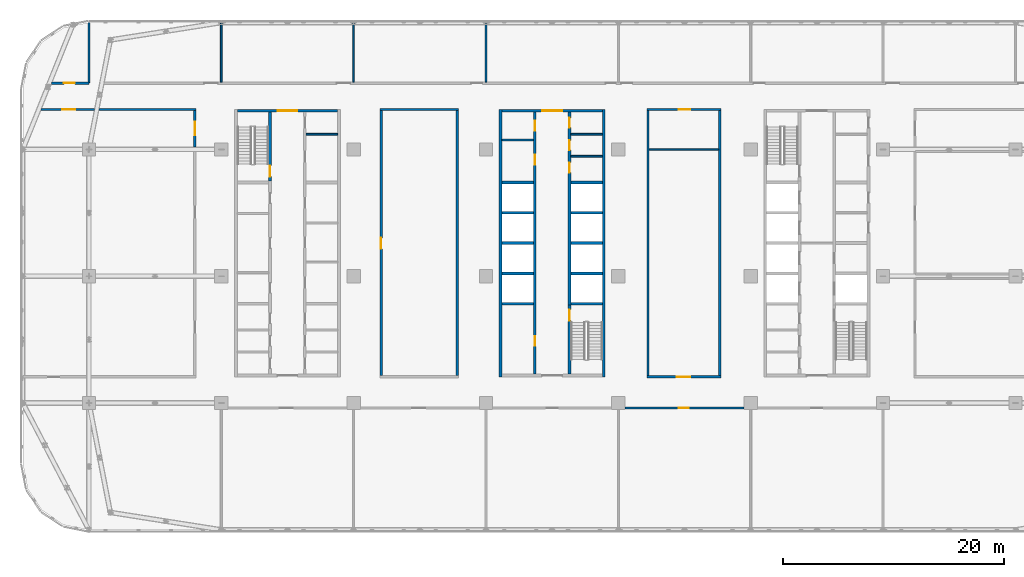
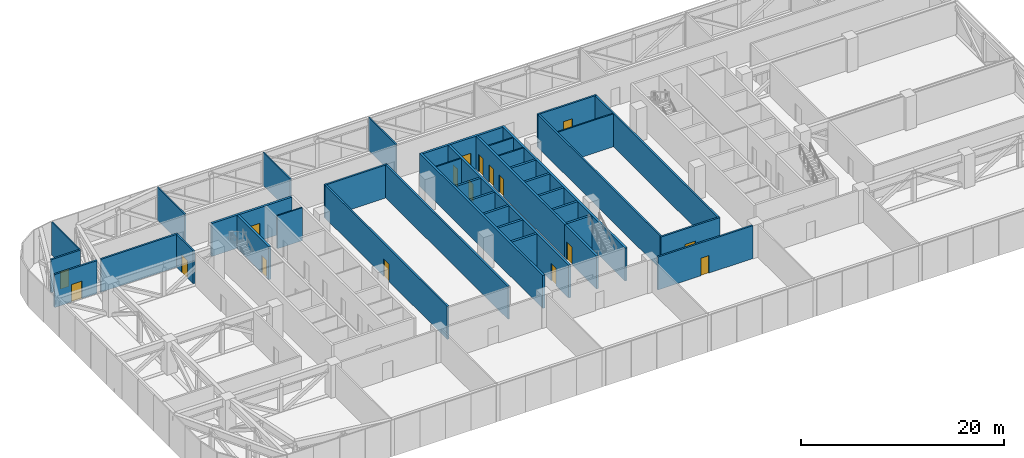
# One storey, part 10 of 26: 39 walls, 17 doors, 17 openings.
"""IFC4 building model written with IfcOpenShell, lengths in metres."""

import ifcopenshell
import ifcopenshell.guid

model = None  # the IFC model being written
_history = None  # IfcOwnerHistory: only IFC2X3 demands one
_inside = {}  # id of a spatial element -> (the spatial element, [elements in it])
_under = {}  # id of a project, library or spatial element -> (it, [spatial elements below it])
_declared = {}  # id of a project -> (the project, [libraries it declares])
_typed = {}  # id of a type object -> (the type object, [elements of that type])
_made_of = {}  # id of a material, layer set ... -> (it, [elements and type objects made of it])


def new_model(schema):
    """Start an empty IFC model of exactly this schema.

    Asked for "IFC4X3", IfcOpenShell would pick the latest addendum, in which some entities
    have other attributes; the version numbers below select the first issue.
    IFC2X3 requires an IfcOwnerHistory on every rooted entity: one is made here for all.
    """
    global model, _history
    if schema == "IFC4X3":
        model = ifcopenshell.file(schema_version=(4, 3, 0, 0))
    else:
        model = ifcopenshell.file(schema=schema)
    _inside.clear()
    _under.clear()
    _declared.clear()
    _typed.clear()
    _made_of.clear()
    _history = None
    if model.schema == "IFC2X3":
        org = make("IfcOrganization", Name="unknown")
        user = make(
            "IfcPersonAndOrganization",
            ThePerson=make("IfcPerson", FamilyName="unknown"),
            TheOrganization=org,
        )
        app = make(
            "IfcApplication",
            ApplicationDeveloper=org,
            Version="unknown",
            ApplicationFullName="unknown",
            ApplicationIdentifier="unknown",
        )
        _history = make(
            "IfcOwnerHistory",
            OwningUser=user,
            OwningApplication=app,
            ChangeAction="ADDED",
            CreationDate=0,
        )
    return model


def make(cls, **values):
    """One entity of the class cls with the attributes given. An attribute that is None is left unset."""
    return model.create_entity(
        cls, **{name: value for name, value in values.items() if value is not None}
    )


def rooted(cls, **values):
    """An entity with a GlobalId (a new one), such as an element, a storey or a relation."""
    return make(cls, GlobalId=ifcopenshell.guid.new(), OwnerHistory=_history, **values)


def si_unit(unit_type, name, prefix=None):
    """IfcSIUnit, for example si_unit("LENGTHUNIT", "METRE", prefix="MILLI")."""
    return make("IfcSIUnit", UnitType=unit_type, Prefix=prefix, Name=name)


def assignment(units):
    """IfcUnitAssignment: the units of a project."""
    return None if units is None else make("IfcUnitAssignment", Units=units)


def point(xyz):
    """IfcCartesianPoint."""
    return None if xyz is None else make("IfcCartesianPoint", Coordinates=xyz)


def direction(xyz):
    """IfcDirection."""
    return None if xyz is None else make("IfcDirection", DirectionRatios=xyz)


def frame(location, z_axis=None, x_axis=None):
    """IfcAxis2Placement3D, a coordinate frame: its origin and axes. An axis left out is left unset."""
    return make(
        "IfcAxis2Placement3D",
        Location=point(location),
        Axis=direction(z_axis),
        RefDirection=direction(x_axis),
    )


def frame_2d(location, x_axis=None):
    """IfcAxis2Placement2D, a coordinate frame in the plane: its origin and x axis."""
    return make(
        "IfcAxis2Placement2D", Location=point(location), RefDirection=direction(x_axis)
    )


def origin():
    """The frame at (0, 0, 0) with its axes left unset."""
    return frame((0.0, 0.0, 0.0))


def place(relative_to, where):
    """IfcLocalPlacement: puts the frame where relative to a parent placement (None: the world)."""
    return make(
        "IfcLocalPlacement", PlacementRelTo=relative_to, RelativePlacement=where
    )


def context(
    kind, dimensions, precision=None, world=None, true_north=None, identifier=None
):
    """IfcGeometricRepresentationContext, for example the 3D "Model" context."""
    return make(
        "IfcGeometricRepresentationContext",
        ContextIdentifier=identifier,
        ContextType=kind,
        CoordinateSpaceDimension=dimensions,
        Precision=precision,
        WorldCoordinateSystem=world,
        TrueNorth=true_north,
    )


def subcontext(parent, identifier, kind, view, scale=None):
    """IfcGeometricRepresentationSubContext, for example "Body" below "Model"."""
    return make(
        "IfcGeometricRepresentationSubContext",
        ContextIdentifier=identifier,
        ContextType=kind,
        ParentContext=parent,
        TargetScale=scale,
        TargetView=view,
    )


def project(units=None, contexts=None):
    """IfcProject with its units and contexts."""
    return rooted(
        "IfcProject",
        Name="project",
        RepresentationContexts=contexts,
        UnitsInContext=assignment(units),
    )


def spatial(cls, under=None, at=None, **own):
    """A site, building, storey or space (cls), placed at a placement, below another one or the project."""
    s = rooted(cls, ObjectPlacement=at, **own)
    if under is not None:
        _under.setdefault(under.id(), (under, []))[1].append(s)
    return s


def profile(cls, at=None, kind="AREA", **sizes):
    """A parametric profile (cls). Its sizes go by their IFC names, for example OverallWidth=200.0."""
    return make(cls, ProfileType=kind, Position=at, **sizes)


def rectangle(**sizes):
    """IfcRectangleProfileDef."""
    return profile("IfcRectangleProfileDef", **sizes)


def extrude(swept, where, along, depth):
    """IfcExtrudedAreaSolid: the profile swept, set in the frame where, extruded along a direction by depth."""
    return make(
        "IfcExtrudedAreaSolid",
        SweptArea=swept,
        Position=where,
        ExtrudedDirection=direction(along),
        Depth=depth,
    )


def shape(context_of_items, identifier, shape_type, items):
    """IfcShapeRepresentation: the items that make up one representation, for example the "Body"."""
    return make(
        "IfcShapeRepresentation",
        ContextOfItems=context_of_items,
        RepresentationIdentifier=identifier,
        RepresentationType=shape_type,
        Items=items,
    )


def material(Name=None, Category=None):
    """IfcMaterial."""
    return make("IfcMaterial", Name=Name, Category=Category)


def layer(
    of_material, thickness, ventilated=None, Name=None, Category=None, Priority=None
):
    """IfcMaterialLayer: one layer of a wall or slab, of a material (None: an air gap)."""
    return make(
        "IfcMaterialLayer",
        Material=of_material,
        LayerThickness=thickness,
        IsVentilated=ventilated,
        Name=Name,
        Category=Category,
        Priority=Priority,
    )


def layer_set(layers, Name=None):
    """IfcMaterialLayerSet."""
    return make("IfcMaterialLayerSet", MaterialLayers=layers, LayerSetName=Name)


def made_of(thing, what):
    """Note that an element or type object is made of a material, layer set ...; save() writes the relation."""
    if what is not None:
        _made_of.setdefault(what.id(), (what, []))[1].append(thing)
    return thing


def type_object(cls, material=None, **own):
    """A type object (cls), such as IfcWallType, which elements share."""
    return made_of(rooted(cls, **own), material)


def element(
    cls,
    number,
    at=None,
    inside=None,
    cuts=None,
    type_object=None,
    material=None,
    context=None,
    identifier="Body",
    shape_type=None,
    held_by="IfcProductDefinitionShape",
    body=None,
    shapes=None,
    **own,
):
    """One element of the class cls, such as IfcWall. Its Tag is "e" and its number.

    at: its placement. inside: the storey or other place that contains it. cuts: it is an
    opening in that element (IfcRelVoidsElement). A single representation is given by context,
    identifier, shape_type and body (its items); several are given by shapes. held_by: the class
    of the entity that holds the representations. save() writes the other relations.
    """
    e = rooted(cls, Tag="e%d" % number, ObjectPlacement=at, **own)
    if body is not None:
        shapes = [shape(context, identifier, shape_type, body)]
    if shapes is not None:
        e.Representation = make(held_by, Representations=shapes)
    if inside is not None:
        _inside.setdefault(inside.id(), (inside, []))[1].append(e)
    if cuts is not None:
        rooted(
            "IfcRelVoidsElement", RelatingBuildingElement=cuts, RelatedOpeningElement=e
        )
    if type_object is not None:
        _typed.setdefault(type_object.id(), (type_object, []))[1].append(e)
    return made_of(e, material)


def fill(opening, filler):
    """IfcRelFillsElement: the door or window that sits in an opening."""
    return rooted(
        "IfcRelFillsElement",
        RelatingOpeningElement=opening,
        RelatedBuildingElement=filler,
    )


def aggregate(whole, parts):
    """IfcRelAggregates: a whole, such as a stair, and the parts it consists of."""
    return rooted("IfcRelAggregates", RelatingObject=whole, RelatedObjects=parts)


def save(model, path):
    """Write the relations noted so far, then the file.

    IfcRelAggregates (storeys below a building ...), IfcRelContainedInSpatialStructure (elements
    in a storey), IfcRelDefinesByType, IfcRelAssociatesMaterial and IfcRelDeclares: one each for
    every whole, place, type object, material and project.
    """
    for whole, parts in _under.values():
        aggregate(whole, parts)
    for where, things in _inside.values():
        rooted(
            "IfcRelContainedInSpatialStructure",
            RelatedElements=things,
            RelatingStructure=where,
        )
    for kind, things in _typed.values():
        rooted("IfcRelDefinesByType", RelatedObjects=things, RelatingType=kind)
    for what, things in _made_of.values():
        rooted("IfcRelAssociatesMaterial", RelatedObjects=things, RelatingMaterial=what)
    for by, libraries in _declared.values():
        rooted("IfcRelDeclares", RelatingContext=by, RelatedDefinitions=libraries)
    model.write(path)


model = new_model("IFC4")

# Units and contexts
model_context = context("Model", 3, precision=1e-05, world=origin(), true_north=direction((0.0, 1.0)))
body_context = subcontext(model_context, "Body", "Model", "MODEL_VIEW")
ifc_project = project(units=[si_unit("LENGTHUNIT", "METRE"), si_unit("AREAUNIT", "SQUARE_METRE"), si_unit("VOLUMEUNIT", "CUBIC_METRE"), si_unit("PLANEANGLEUNIT", "RADIAN"), si_unit("MASSUNIT", "GRAM", prefix="KILO")], contexts=[model_context])

# Site, building, storey
site_placement = place(None, origin())
site = spatial("IfcSite", under=ifc_project, at=site_placement, CompositionType="ELEMENT")
building_placement = place(site_placement, origin())
building = spatial("IfcBuilding", under=site, at=building_placement, Name="Mahtab Terrace Research Tower", CompositionType="ELEMENT")
storey_placement = place(building_placement, frame((0.0, 0.0, 189.60009765625)))
storey = spatial("IfcBuildingStorey", under=building, at=storey_placement, Name="L45", CompositionType="ELEMENT", Elevation=189.60009765625)

# Walls
ifc_material_1 = material(Name="Gypsum board partition")
ifc_layer_1 = layer(ifc_material_1, 0.14990234375)
ifc_layer_set_1 = layer_set([ifc_layer_1], Name="Core partition 150")
wall_type_1 = type_object("IfcWallType", Name="Core partition 150", PredefinedType="PARTITIONING", material=ifc_layer_set_1)
for number, where, z_axis, x_axis, name in (
    (1, (-22.300048828125, 12.875, 0.0), (0.0, 0.0, 1.0), (1.0, 0.0, 0.0), "Core wall A pEN988"),
    (2, (-4.550048828125, 12.35498046875, 0.0), (0.0, 0.0, 1.0), (1.0, 0.0, 0.0), "Core wall B pWN936"),
    (3, (1.699951171875, 10.875, 0.0), (0.0, 0.0, 1.0), (1.0, 0.0, 0.0), "Core wall B pEN788"),
    (4, (1.699951171875, 12.875, 0.0), (0.0, 0.0, 1.0), (1.0, 0.0, 0.0), "Core wall B pEN988"),
):
    element("IfcWall", number, at=place(storey_placement, frame(where, z_axis=z_axis, x_axis=x_axis)), inside=storey, type_object=wall_type_1, Name=name, PredefinedType="PARTITIONING", context=body_context, shape_type="SweptSolid", body=[
        extrude(rectangle(XDim=2.85009765625, YDim=0.14990234375, at=frame_2d((1.425048828125, 0.0))), origin(), (0.0, 0.0, 1.0), 3.9599609375),
    ])

# Wall, opening, door
ifc_material_2 = material(Name="Concrete C70/85", Category="concrete")
ifc_layer_2 = layer(ifc_material_2, 0.25)
ifc_layer_set_2 = layer_set([ifc_layer_2], Name="Core wall 250")
wall_type_2 = type_object("IfcWallType", Name="Core wall 250", PredefinedType="SOLIDWALL", material=ifc_layer_set_2)
wall_1_placement = place(storey_placement, frame((-28.550048828125, 15.0, 0.0), z_axis=(0.0, 0.0, 1.0), x_axis=(1.0, 0.0, 0.0)))
wall_1 = element("IfcWall", 5, at=wall_1_placement, inside=storey, type_object=wall_type_2, Name="Core wall A endN", PredefinedType="SOLIDWALL", context=body_context, shape_type="SweptSolid", body=[
    extrude(rectangle(XDim=9.10009765625, YDim=0.25, at=frame_2d((4.550048828125, 0.0))), origin(), (0.0, 0.0, 1.0), 3.9599609375),
])
opening_1_placement = place(wall_1_placement, frame((3.64990234375, 0.0, 0.0)))
opening_1 = element("IfcOpeningElement", 6, at=opening_1_placement, cuts=wall_1, Name="Opening A-N1", PredefinedType="OPENING", context=body_context, shape_type="SweptSolid", body=[
    extrude(rectangle(XDim=1.800048828125, YDim=2.10009765625, at=frame_2d((0.89990234375, 1.050048828125))), frame((0.0, 0.135009765625, 0.0), z_axis=(0.0, -1.0, 0.0), x_axis=(1.0, 0.0, 0.0)), (0.0, 0.0, 1.0), 0.27001953125),
])
ifc_material_3 = material(Name="Steel fire door", Category="steel")
door_type_1 = type_object("IfcDoorType", Name="Lobby double door 1800x2100 1 HR", OperationType="DOUBLE_DOOR_SINGLE_SWING", PredefinedType="DOOR", material=ifc_material_3)
door_1_placement = place(opening_1_placement, origin())
door_1 = element("IfcDoor", 7, at=door_1_placement, inside=storey, type_object=door_type_1, Name="Core entrance door A N", OperationType="DOUBLE_DOOR_SINGLE_SWING", OverallHeight=2.10009765625, OverallWidth=1.800048828125, PredefinedType="DOOR", context=body_context, shape_type="SweptSolid", body=[
    extrude(rectangle(XDim=1.800048828125, YDim=2.10009765625, at=frame_2d((0.89990234375, 1.050048828125))), frame((0.0, 0.02490234375, 0.0), z_axis=(0.0, -1.0, 0.0), x_axis=(1.0, 0.0, 0.0)), (0.0, 0.0, 1.0), 0.050048828125),
])
fill(opening_1, door_1)

wall_2_placement = place(storey_placement, frame((-25.574951171875, 14.875, 0.0), z_axis=(0.0, 0.0, 1.0), x_axis=(0.0, -1.0, 0.0)))
wall_2 = element("IfcWall", 8, at=wall_2_placement, inside=storey, type_object=wall_type_2, Name="Core wall A innerWN", PredefinedType="SOLIDWALL", context=body_context, shape_type="SweptSolid", body=[
    extrude(rectangle(XDim=6.25, YDim=0.25, at=frame_2d((3.125, 0.0))), origin(), (0.0, 0.0, 1.0), 3.9599609375),
])
opening_2_placement = place(wall_2_placement, frame((4.85009765625, 0.0, 0.0)))
opening_2 = element("IfcOpeningElement", 9, at=opening_2_placement, cuts=wall_2, Name="Opening A-ST1", PredefinedType="OPENING", context=body_context, shape_type="SweptSolid", body=[
    extrude(rectangle(XDim=1.0, YDim=2.10009765625, at=frame_2d((0.5, 1.050048828125))), frame((0.0, 0.135009765625, 0.0), z_axis=(0.0, -1.0, 0.0), x_axis=(1.0, 0.0, 0.0)), (0.0, 0.0, 1.0), 0.27001953125),
])
door_type_2 = type_object("IfcDoorType", Name="Stair door 1000x2100 1.5 HR", OperationType="NOTDEFINED", PredefinedType="DOOR", material=ifc_material_3)
door_2_placement = place(opening_2_placement, origin())
door_2 = element("IfcDoor", 10, at=door_2_placement, inside=storey, type_object=door_type_2, Name="Stair door ST1 L45", OperationType="SINGLE_SWING_LEFT", OverallHeight=2.10009765625, OverallWidth=1.0, PredefinedType="DOOR", context=body_context, shape_type="SweptSolid", body=[
    extrude(rectangle(XDim=1.0, YDim=2.10009765625, at=frame_2d((0.5, 1.050048828125))), frame((0.0, 0.02490234375, 0.0), z_axis=(0.0, -1.0, 0.0), x_axis=(1.0, 0.0, 0.0)), (0.0, 0.0, 1.0), 0.050048828125),
])
fill(opening_2, door_2)

# Walls
for number, where, z_axis, x_axis, name in (
    (11, (-4.675048828125, 15.125, 0.0), (0.0, 0.0, 1.0), (0.0, -1.0, 0.0), "Core wall B outerW"),
    (12, (4.675048828125, -9.125, 0.0), (0.0, 0.0, 1.0), (0.0, 1.0, 0.0), "Core wall B outerE"),
):
    element("IfcWall", number, at=place(storey_placement, frame(where, z_axis=z_axis, x_axis=x_axis)), inside=storey, type_object=wall_type_2, Name=name, PredefinedType="SOLIDWALL", context=body_context, shape_type="SweptSolid", body=[
        extrude(rectangle(XDim=24.25, YDim=0.25, at=frame_2d((12.125, 0.0))), origin(), (0.0, 0.0, 1.0), 3.9599609375),
    ])

# Wall, opening, door
wall_3_placement = place(storey_placement, frame((-4.550048828125, 15.0, 0.0), z_axis=(0.0, 0.0, 1.0), x_axis=(1.0, 0.0, 0.0)))
wall_3 = element("IfcWall", 13, at=wall_3_placement, inside=storey, type_object=wall_type_2, Name="Core wall B endN", PredefinedType="SOLIDWALL", context=body_context, shape_type="SweptSolid", body=[
    extrude(rectangle(XDim=9.10009765625, YDim=0.25, at=frame_2d((4.550048828125, 0.0))), origin(), (0.0, 0.0, 1.0), 3.9599609375),
])
opening_3_placement = place(wall_3_placement, frame((3.64990234375, 0.0, 0.0)))
opening_3 = element("IfcOpeningElement", 14, at=opening_3_placement, cuts=wall_3, Name="Opening B-N1", PredefinedType="OPENING", context=body_context, shape_type="SweptSolid", body=[
    extrude(rectangle(XDim=1.800048828125, YDim=2.10009765625, at=frame_2d((0.89990234375, 1.050048828125))), frame((0.0, 0.135009765625, 0.0), z_axis=(0.0, -1.0, 0.0), x_axis=(1.0, 0.0, 0.0)), (0.0, 0.0, 1.0), 0.27001953125),
])
door_3_placement = place(opening_3_placement, origin())
door_3 = element("IfcDoor", 15, at=door_3_placement, inside=storey, type_object=door_type_1, Name="Core entrance door B N", OperationType="DOUBLE_DOOR_SINGLE_SWING", OverallHeight=2.10009765625, OverallWidth=1.800048828125, PredefinedType="DOOR", context=body_context, shape_type="SweptSolid", body=[
    extrude(rectangle(XDim=1.800048828125, YDim=2.10009765625, at=frame_2d((0.89990234375, 1.050048828125))), frame((0.0, 0.02490234375, 0.0), z_axis=(0.0, -1.0, 0.0), x_axis=(1.0, 0.0, 0.0)), (0.0, 0.0, 1.0), 0.050048828125),
])
fill(opening_3, door_3)

# Wall, openings, doors
wall_4_placement = place(storey_placement, frame((-1.574951171875, -8.875, 0.0), z_axis=(0.0, 0.0, 1.0), x_axis=(0.0, 1.0, 0.0)))
wall_4 = element("IfcWall", 16, at=wall_4_placement, inside=storey, type_object=wall_type_2, Name="Core wall B innerWSLN", PredefinedType="SOLIDWALL", context=body_context, shape_type="SweptSolid", body=[
    extrude(rectangle(XDim=23.75, YDim=0.25, at=frame_2d((11.875, 0.0))), origin(), (0.0, 0.0, 1.0), 3.9599609375),
])
opening_4_placement = place(wall_4_placement, frame((2.550048828125, 0.0, 0.0)))
opening_4 = element("IfcOpeningElement", 17, at=opening_4_placement, cuts=wall_4, Name="Opening B-R1", PredefinedType="OPENING", context=body_context, shape_type="SweptSolid", body=[
    extrude(rectangle(XDim=0.89990234375, YDim=2.10009765625, at=frame_2d((0.449951171875, 1.050048828125))), frame((0.0, 0.135009765625, 0.0), z_axis=(0.0, -1.0, 0.0), x_axis=(1.0, 0.0, 0.0)), (0.0, 0.0, 1.0), 0.27001953125),
])
opening_5_placement = place(wall_4_placement, frame((19.00244140625, 0.0, 0.0)))
opening_5 = element("IfcOpeningElement", 18, at=opening_5_placement, cuts=wall_4, Name="Opening B-R2", PredefinedType="OPENING", context=body_context, shape_type="SweptSolid", body=[
    extrude(rectangle(XDim=0.89990234375, YDim=2.10009765625, at=frame_2d((0.449951171875, 1.050048828125))), frame((0.0, 0.135009765625, 0.0), z_axis=(0.0, -1.0, 0.0), x_axis=(1.0, 0.0, 0.0)), (0.0, 0.0, 1.0), 0.27001953125),
])
opening_6_placement = place(wall_4_placement, frame((22.077392578125, 0.0, 0.0)))
opening_6 = element("IfcOpeningElement", 19, at=opening_6_placement, cuts=wall_4, Name="Opening B-R3", PredefinedType="OPENING", context=body_context, shape_type="SweptSolid", body=[
    extrude(rectangle(XDim=0.89990234375, YDim=2.10009765625, at=frame_2d((0.449951171875, 1.050048828125))), frame((0.0, 0.135009765625, 0.0), z_axis=(0.0, -1.0, 0.0), x_axis=(1.0, 0.0, 0.0)), (0.0, 0.0, 1.0), 0.27001953125),
])
door_type_3 = type_object("IfcDoorType", Name="Room door 900x2100 1 HR", OperationType="NOTDEFINED", PredefinedType="DOOR", material=ifc_material_3)
door_4_placement = place(opening_4_placement, origin())
door_4 = element("IfcDoor", 20, at=door_4_placement, inside=storey, type_object=door_type_3, Name="Gas cylinder store door", OperationType="SINGLE_SWING_LEFT", OverallHeight=2.10009765625, OverallWidth=0.89990234375, PredefinedType="DOOR", context=body_context, shape_type="SweptSolid", body=[
    extrude(rectangle(XDim=0.89990234375, YDim=2.10009765625, at=frame_2d((0.449951171875, 1.050048828125))), frame((0.0, 0.02490234375, 0.0), z_axis=(0.0, -1.0, 0.0), x_axis=(1.0, 0.0, 0.0)), (0.0, 0.0, 1.0), 0.050048828125),
])
fill(opening_4, door_4)
door_5_placement = place(opening_5_placement, origin())
door_5 = element("IfcDoor", 21, at=door_5_placement, inside=storey, type_object=door_type_3, Name="Pantry door", OperationType="SINGLE_SWING_RIGHT", OverallHeight=2.10009765625, OverallWidth=0.89990234375, PredefinedType="DOOR", context=body_context, shape_type="SweptSolid", body=[
    extrude(rectangle(XDim=0.89990234375, YDim=2.10009765625, at=frame_2d((0.449951171875, 1.050048828125))), frame((0.0, 0.02490234375, 0.0), z_axis=(0.0, -1.0, 0.0), x_axis=(1.0, 0.0, 0.0)), (0.0, 0.0, 1.0), 0.050048828125),
])
fill(opening_5, door_5)
door_6_placement = place(opening_6_placement, origin())
door_6 = element("IfcDoor", 22, at=door_6_placement, inside=storey, type_object=door_type_3, Name="Linen store door", OperationType="SINGLE_SWING_LEFT", OverallHeight=2.10009765625, OverallWidth=0.89990234375, PredefinedType="DOOR", context=body_context, shape_type="SweptSolid", body=[
    extrude(rectangle(XDim=0.89990234375, YDim=2.10009765625, at=frame_2d((0.449951171875, 1.050048828125))), frame((0.0, 0.02490234375, 0.0), z_axis=(0.0, -1.0, 0.0), x_axis=(1.0, 0.0, 0.0)), (0.0, 0.0, 1.0), 0.050048828125),
])
fill(opening_6, door_6)

# Wall, opening, door
wall_5_placement = place(storey_placement, frame((1.574951171875, -8.875, 0.0), z_axis=(0.0, 0.0, 1.0), x_axis=(0.0, 1.0, 0.0)))
wall_5 = element("IfcWall", 23, at=wall_5_placement, inside=storey, type_object=wall_type_2, Name="Core wall B innerES", PredefinedType="SOLIDWALL", context=body_context, shape_type="SweptSolid", body=[
    extrude(rectangle(XDim=6.25, YDim=0.25, at=frame_2d((3.125, 0.0))), origin(), (0.0, 0.0, 1.0), 3.9599609375),
])
opening_7_placement = place(wall_5_placement, frame((4.85009765625, 0.0, 0.0)))
opening_7 = element("IfcOpeningElement", 24, at=opening_7_placement, cuts=wall_5, Name="Opening B-ST2", PredefinedType="OPENING", context=body_context, shape_type="SweptSolid", body=[
    extrude(rectangle(XDim=1.0, YDim=2.10009765625, at=frame_2d((0.5, 1.050048828125))), frame((0.0, 0.135009765625, 0.0), z_axis=(0.0, -1.0, 0.0), x_axis=(1.0, 0.0, 0.0)), (0.0, 0.0, 1.0), 0.27001953125),
])
door_7_placement = place(opening_7_placement, origin())
door_7 = element("IfcDoor", 25, at=door_7_placement, inside=storey, type_object=door_type_2, Name="Stair door ST2 L45", OperationType="SINGLE_SWING_LEFT", OverallHeight=2.10009765625, OverallWidth=1.0, PredefinedType="DOOR", context=body_context, shape_type="SweptSolid", body=[
    extrude(rectangle(XDim=1.0, YDim=2.10009765625, at=frame_2d((0.5, 1.050048828125))), frame((0.0, 0.02490234375, 0.0), z_axis=(0.0, -1.0, 0.0), x_axis=(1.0, 0.0, 0.0)), (0.0, 0.0, 1.0), 0.050048828125),
])
fill(opening_7, door_7)

# Wall, openings, doors
wall_6_placement = place(storey_placement, frame((1.574951171875, 14.875, 0.0), z_axis=(0.0, 0.0, 1.0), x_axis=(0.0, -1.0, 0.0)))
wall_6 = element("IfcWall", 26, at=wall_6_placement, inside=storey, type_object=wall_type_2, Name="Core wall B innerELN", PredefinedType="SOLIDWALL", context=body_context, shape_type="SweptSolid", body=[
    extrude(rectangle(XDim=17.5, YDim=0.25, at=frame_2d((8.75, 0.0))), origin(), (0.0, 0.0, 1.0), 3.9599609375),
])
opening_8_placement = place(wall_6_placement, frame((4.58740234375, 0.0, 0.0)))
opening_8 = element("IfcOpeningElement", 27, at=opening_8_placement, cuts=wall_6, Name="Opening B-R4", PredefinedType="OPENING", context=body_context, shape_type="SweptSolid", body=[
    extrude(rectangle(XDim=0.89990234375, YDim=2.10009765625, at=frame_2d((0.449951171875, 1.050048828125))), frame((0.0, 0.135009765625, 0.0), z_axis=(0.0, -1.0, 0.0), x_axis=(1.0, 0.0, 0.0)), (0.0, 0.0, 1.0), 0.27001953125),
])
opening_9_placement = place(wall_6_placement, frame((2.550048828125, 0.0, 0.0)))
opening_9 = element("IfcOpeningElement", 28, at=opening_9_placement, cuts=wall_6, Name="Opening B-R5", PredefinedType="OPENING", context=body_context, shape_type="SweptSolid", body=[
    extrude(rectangle(XDim=0.89990234375, YDim=2.10009765625, at=frame_2d((0.449951171875, 1.050048828125))), frame((0.0, 0.135009765625, 0.0), z_axis=(0.0, -1.0, 0.0), x_axis=(1.0, 0.0, 0.0)), (0.0, 0.0, 1.0), 0.27001953125),
])
opening_10_placement = place(wall_6_placement, frame((0.512451171875, 0.0, 0.0)))
opening_10 = element("IfcOpeningElement", 29, at=opening_10_placement, cuts=wall_6, Name="Opening B-R6", PredefinedType="OPENING", context=body_context, shape_type="SweptSolid", body=[
    extrude(rectangle(XDim=0.89990234375, YDim=2.10009765625, at=frame_2d((0.449951171875, 1.050048828125))), frame((0.0, 0.135009765625, 0.0), z_axis=(0.0, -1.0, 0.0), x_axis=(1.0, 0.0, 0.0)), (0.0, 0.0, 1.0), 0.27001953125),
])
door_8_placement = place(opening_8_placement, origin())
door_8 = element("IfcDoor", 30, at=door_8_placement, inside=storey, type_object=door_type_3, Name="Male WC door", OperationType="SINGLE_SWING_RIGHT", OverallHeight=2.10009765625, OverallWidth=0.89990234375, PredefinedType="DOOR", context=body_context, shape_type="SweptSolid", body=[
    extrude(rectangle(XDim=0.89990234375, YDim=2.10009765625, at=frame_2d((0.449951171875, 1.050048828125))), frame((0.0, 0.02490234375, 0.0), z_axis=(0.0, -1.0, 0.0), x_axis=(1.0, 0.0, 0.0)), (0.0, 0.0, 1.0), 0.050048828125),
])
fill(opening_8, door_8)
door_9_placement = place(opening_9_placement, origin())
door_9 = element("IfcDoor", 31, at=door_9_placement, inside=storey, type_object=door_type_3, Name="Female WC door", OperationType="SINGLE_SWING_LEFT", OverallHeight=2.10009765625, OverallWidth=0.89990234375, PredefinedType="DOOR", context=body_context, shape_type="SweptSolid", body=[
    extrude(rectangle(XDim=0.89990234375, YDim=2.10009765625, at=frame_2d((0.449951171875, 1.050048828125))), frame((0.0, 0.02490234375, 0.0), z_axis=(0.0, -1.0, 0.0), x_axis=(1.0, 0.0, 0.0)), (0.0, 0.0, 1.0), 0.050048828125),
])
fill(opening_9, door_9)
door_10_placement = place(opening_10_placement, origin())
door_10 = element("IfcDoor", 32, at=door_10_placement, inside=storey, type_object=door_type_3, Name="Accessible WC door", OperationType="SINGLE_SWING_RIGHT", OverallHeight=2.10009765625, OverallWidth=0.89990234375, PredefinedType="DOOR", context=body_context, shape_type="SweptSolid", body=[
    extrude(rectangle(XDim=0.89990234375, YDim=2.10009765625, at=frame_2d((0.449951171875, 1.050048828125))), frame((0.0, 0.02490234375, 0.0), z_axis=(0.0, -1.0, 0.0), x_axis=(1.0, 0.0, 0.0)), (0.0, 0.0, 1.0), 0.050048828125),
])
fill(opening_10, door_10)

# Walls
for number, where, z_axis, x_axis, name in (
    (33, (-4.550048828125, -2.5, 0.0), (0.0, 0.0, 1.0), (1.0, 0.0, 0.0), "Core wall B divW0"),
    (34, (-4.550048828125, 0.25, 0.0), (0.0, 0.0, 1.0), (1.0, 0.0, 0.0), "Core wall B divW1"),
    (35, (-4.550048828125, 3.0, 0.0), (0.0, 0.0, 1.0), (1.0, 0.0, 0.0), "Core wall B divW2"),
    (36, (-4.550048828125, 5.75, 0.0), (0.0, 0.0, 1.0), (1.0, 0.0, 0.0), "Core wall B divW3"),
    (37, (-4.550048828125, 8.5, 0.0), (0.0, 0.0, 1.0), (1.0, 0.0, 0.0), "Core wall B divW4"),
    (38, (1.699951171875, -2.5, 0.0), (0.0, 0.0, 1.0), (1.0, 0.0, 0.0), "Core wall B divE0"),
    (39, (1.699951171875, 0.25, 0.0), (0.0, 0.0, 1.0), (1.0, 0.0, 0.0), "Core wall B divE1"),
    (40, (1.699951171875, 3.0, 0.0), (0.0, 0.0, 1.0), (1.0, 0.0, 0.0), "Core wall B divE2"),
    (41, (1.699951171875, 5.75, 0.0), (0.0, 0.0, 1.0), (1.0, 0.0, 0.0), "Core wall B divE3"),
    (42, (1.699951171875, 8.5, 0.0), (0.0, 0.0, 1.0), (1.0, 0.0, 0.0), "Core wall B divE4"),
):
    element("IfcWall", number, at=place(storey_placement, frame(where, z_axis=z_axis, x_axis=x_axis)), inside=storey, type_object=wall_type_2, Name=name, PredefinedType="SOLIDWALL", context=body_context, shape_type="SweptSolid", body=[
        extrude(rectangle(XDim=2.85009765625, YDim=0.25, at=frame_2d((1.425048828125, 0.0))), origin(), (0.0, 0.0, 1.0), 3.9599609375),
    ])

# Wall, opening, door
ifc_material_4 = material(Name="Gypsum board corridor wall on steel studs", Category="steel")
ifc_layer_3 = layer(ifc_material_4, 0.199951171875)
ifc_layer_set_3 = layer_set([ifc_layer_3], Name="WALL CORRIDOR 200")
wall_type_3 = type_object("IfcWallType", Name="WALL CORRIDOR 200", PredefinedType="PARTITIONING", material=ifc_layer_set_3)
wall_7_placement = place(storey_placement, frame((6.60009765625, -11.949951171875, 0.0), z_axis=(0.0, 0.0, 1.0), x_axis=(1.0, 0.0, 0.0)))
wall_7 = element("IfcWall", 43, at=wall_7_placement, inside=storey, type_object=wall_type_3, Name="L45-W004", PredefinedType="PARTITIONING", context=body_context, shape_type="SweptSolid", body=[
    extrude(rectangle(XDim=10.7998046875, YDim=0.199951171875, at=frame_2d((5.39990234375, 0.0))), origin(), (0.0, 0.0, 1.0), 3.9599609375),
])
opening_11_placement = place(wall_7_placement, frame((4.89990234375, 0.0, 0.0)))
opening_11 = element("IfcOpeningElement", 44, at=opening_11_placement, cuts=wall_7, Name="Opening L45-104", PredefinedType="OPENING", context=body_context, shape_type="SweptSolid", body=[
    extrude(rectangle(XDim=0.89990234375, YDim=2.10009765625, at=frame_2d((0.449951171875, 1.050048828125))), frame((0.0, 0.10986328125, 0.0), z_axis=(0.0, -1.0, 0.0), x_axis=(1.0, 0.0, 0.0)), (0.0, 0.0, 1.0), 0.219970703125),
])
ifc_material_5 = material(Name="Timber door leaf in steel frame", Category="steel")
door_type_4 = type_object("IfcDoorType", Name="DOOR 0900X2100 FD30S", OperationType="SINGLE_SWING_LEFT", PredefinedType="DOOR", material=ifc_material_5)
door_11_placement = place(opening_11_placement, origin())
door_11 = element("IfcDoor", 45, at=door_11_placement, inside=storey, type_object=door_type_4, Name="Door L45-104", OperationType="SINGLE_SWING_RIGHT", OverallHeight=2.10009765625, OverallWidth=0.89990234375, PredefinedType="DOOR", context=body_context, shape_type="SweptSolid", body=[
    extrude(rectangle(XDim=0.89990234375, YDim=2.10009765625, at=frame_2d((0.449951171875, 1.050048828125))), frame((0.0, 0.02490234375, 0.0), z_axis=(0.0, -1.0, 0.0), x_axis=(1.0, 0.0, 0.0)), (0.0, 0.0, 1.0), 0.050048828125),
])
fill(opening_11, door_11)

wall_8_placement = place(storey_placement, frame((8.60009765625, -9.125, 0.0), z_axis=(0.0, 0.0, 1.0), x_axis=(1.0, 0.0, 0.0)))
wall_8 = element("IfcWall", 46, at=wall_8_placement, inside=storey, type_object=wall_type_3, Name="L45-W009", PredefinedType="PARTITIONING", context=body_context, shape_type="SweptSolid", body=[
    extrude(rectangle(XDim=6.699951171875, YDim=0.199951171875, at=frame_2d((3.35009765625, 0.0))), origin(), (0.0, 0.0, 1.0), 3.9599609375),
])
opening_12_placement = place(wall_8_placement, frame((2.699951171875, 0.0, 0.0)))
opening_12 = element("IfcOpeningElement", 47, at=opening_12_placement, cuts=wall_8, Name="Opening L45-111", PredefinedType="OPENING", context=body_context, shape_type="SweptSolid", body=[
    extrude(rectangle(XDim=1.199951171875, YDim=2.10009765625, at=frame_2d((0.60009765625, 1.050048828125))), frame((0.0, 0.10986328125, 0.0), z_axis=(0.0, -1.0, 0.0), x_axis=(1.0, 0.0, 0.0)), (0.0, 0.0, 1.0), 0.219970703125),
])
door_type_5 = type_object("IfcDoorType", Name="DOOR 1200X2100 FD30S", OperationType="SINGLE_SWING_LEFT", PredefinedType="DOOR", material=ifc_material_5)
door_12_placement = place(opening_12_placement, origin())
door_12 = element("IfcDoor", 48, at=door_12_placement, inside=storey, type_object=door_type_5, Name="Door L45-111", OperationType="SINGLE_SWING_LEFT", OverallHeight=2.10009765625, OverallWidth=1.199951171875, PredefinedType="DOOR", context=body_context, shape_type="SweptSolid", body=[
    extrude(rectangle(XDim=1.199951171875, YDim=2.10009765625, at=frame_2d((0.60009765625, 1.050048828125))), frame((0.0, 0.02490234375, 0.0), z_axis=(0.0, -1.0, 0.0), x_axis=(1.0, 0.0, 0.0)), (0.0, 0.0, 1.0), 0.050048828125),
])
fill(opening_12, door_12)

wall_9_placement = place(storey_placement, frame((-46.326904296875, 15.125, 0.0), z_axis=(0.0, 0.0, 1.0), x_axis=(1.0, 0.0, 0.0)))
wall_9 = element("IfcWall", 49, at=wall_9_placement, inside=storey, type_object=wall_type_3, Name="L45-W018", PredefinedType="PARTITIONING", context=body_context, shape_type="SweptSolid", body=[
    extrude(rectangle(XDim=4.83154296875, YDim=0.199951171875, at=frame_2d((2.415771484375, 0.0))), origin(), (0.0, 0.0, 1.0), 3.9599609375),
])
opening_13_placement = place(wall_9_placement, frame((1.89990234375, 0.0, 0.0)))
opening_13 = element("IfcOpeningElement", 50, at=opening_13_placement, cuts=wall_9, Name="Opening L45-113", PredefinedType="OPENING", context=body_context, shape_type="SweptSolid", body=[
    extrude(rectangle(XDim=1.199951171875, YDim=2.10009765625, at=frame_2d((0.60009765625, 1.050048828125))), frame((0.0, 0.10986328125, 0.0), z_axis=(0.0, -1.0, 0.0), x_axis=(1.0, 0.0, 0.0)), (0.0, 0.0, 1.0), 0.219970703125),
])
door_13_placement = place(opening_13_placement, origin())
door_13 = element("IfcDoor", 51, at=door_13_placement, inside=storey, type_object=door_type_5, Name="Door L45-113", OperationType="SINGLE_SWING_LEFT", OverallHeight=2.10009765625, OverallWidth=1.199951171875, PredefinedType="DOOR", context=body_context, shape_type="SweptSolid", body=[
    extrude(rectangle(XDim=1.199951171875, YDim=2.10009765625, at=frame_2d((0.60009765625, 1.050048828125))), frame((0.0, 0.02490234375, 0.0), z_axis=(0.0, -1.0, 0.0), x_axis=(1.0, 0.0, 0.0)), (0.0, 0.0, 1.0), 0.050048828125),
])
fill(opening_13, door_13)

# Walls
wall_10_placement = place(storey_placement, frame((-41.087646484375, 15.125, 0.0), z_axis=(0.0, 0.0, 1.0), x_axis=(1.0, 0.0, 0.0)))
element("IfcWall", 52, at=wall_10_placement, inside=storey, type_object=wall_type_3, Name="L45-W019", PredefinedType="PARTITIONING", context=body_context, shape_type="SweptSolid", body=[
    extrude(rectangle(XDim=8.78759765625, YDim=0.199951171875, at=frame_2d((4.393798828125, 0.0))), origin(), (0.0, 0.0, 1.0), 3.9599609375),
])
wall_11_placement = place(storey_placement, frame((-15.60009765625, 15.125, 0.0), z_axis=(0.0, 0.0, 1.0), x_axis=(1.0, 0.0, 0.0)))
element("IfcWall", 53, at=wall_11_placement, inside=storey, type_object=wall_type_3, Name="L45-W020", PredefinedType="PARTITIONING", context=body_context, shape_type="SweptSolid", body=[
    extrude(rectangle(XDim=7.10009765625, YDim=0.199951171875, at=frame_2d((3.550048828125, 0.0))), origin(), (0.0, 0.0, 1.0), 3.9599609375),
])

# Wall, opening, door
wall_12_placement = place(storey_placement, frame((8.60009765625, 15.125, 0.0), z_axis=(0.0, 0.0, 1.0), x_axis=(1.0, 0.0, 0.0)))
wall_12 = element("IfcWall", 54, at=wall_12_placement, inside=storey, type_object=wall_type_3, Name="L45-W021", PredefinedType="PARTITIONING", context=body_context, shape_type="SweptSolid", body=[
    extrude(rectangle(XDim=6.699951171875, YDim=0.199951171875, at=frame_2d((3.35009765625, 0.0))), origin(), (0.0, 0.0, 1.0), 3.9599609375),
])
opening_14_placement = place(wall_12_placement, frame((2.89990234375, 0.0, 0.0)))
opening_14 = element("IfcOpeningElement", 55, at=opening_14_placement, cuts=wall_12, Name="Opening L45-115", PredefinedType="OPENING", context=body_context, shape_type="SweptSolid", body=[
    extrude(rectangle(XDim=1.0, YDim=2.10009765625, at=frame_2d((0.5, 1.050048828125))), frame((0.0, 0.10986328125, 0.0), z_axis=(0.0, -1.0, 0.0), x_axis=(1.0, 0.0, 0.0)), (0.0, 0.0, 1.0), 0.219970703125),
])
door_type_6 = type_object("IfcDoorType", Name="DOOR 1000X2100 FD30S", OperationType="SINGLE_SWING_LEFT", PredefinedType="DOOR", material=ifc_material_5)
door_14_placement = place(opening_14_placement, origin())
door_14 = element("IfcDoor", 56, at=door_14_placement, inside=storey, type_object=door_type_6, Name="Door L45-115", OperationType="SINGLE_SWING_LEFT", OverallHeight=2.10009765625, OverallWidth=1.0, PredefinedType="DOOR", context=body_context, shape_type="SweptSolid", body=[
    extrude(rectangle(XDim=1.0, YDim=2.10009765625, at=frame_2d((0.5, 1.050048828125))), frame((0.0, 0.02490234375, 0.0), z_axis=(0.0, -1.0, 0.0), x_axis=(1.0, 0.0, 0.0)), (0.0, 0.0, 1.0), 0.050048828125),
])
fill(opening_14, door_14)

wall_13_placement = place(storey_placement, frame((-45.3720703125, 17.5, 0.0), z_axis=(0.0, 0.0, 1.0), x_axis=(1.0, 0.0, 0.0)))
wall_13 = element("IfcWall", 57, at=wall_13_placement, inside=storey, type_object=wall_type_3, Name="L45-W023", PredefinedType="PARTITIONING", context=body_context, shape_type="SweptSolid", body=[
    extrude(rectangle(XDim=3.3720703125, YDim=0.199951171875, at=frame_2d((1.68603515625, 0.0))), origin(), (0.0, 0.0, 1.0), 3.9599609375),
])
opening_15_placement = place(wall_13_placement, frame((1.10009765625, 0.0, 0.0)))
opening_15 = element("IfcOpeningElement", 58, at=opening_15_placement, cuts=wall_13, Name="Opening L45-117", PredefinedType="OPENING", context=body_context, shape_type="SweptSolid", body=[
    extrude(rectangle(XDim=1.0, YDim=2.10009765625, at=frame_2d((0.5, 1.050048828125))), frame((0.0, 0.10986328125, 0.0), z_axis=(0.0, -1.0, 0.0), x_axis=(1.0, 0.0, 0.0)), (0.0, 0.0, 1.0), 0.219970703125),
])
door_15_placement = place(opening_15_placement, origin())
door_15 = element("IfcDoor", 59, at=door_15_placement, inside=storey, type_object=door_type_6, Name="Door L45-117", OperationType="SINGLE_SWING_LEFT", OverallHeight=2.10009765625, OverallWidth=1.0, PredefinedType="DOOR", context=body_context, shape_type="SweptSolid", body=[
    extrude(rectangle(XDim=1.0, YDim=2.10009765625, at=frame_2d((0.5, 1.050048828125))), frame((0.0, 0.02490234375, 0.0), z_axis=(0.0, -1.0, 0.0), x_axis=(1.0, 0.0, 0.0)), (0.0, 0.0, 1.0), 0.050048828125),
])
fill(opening_15, door_15)

wall_14_placement = place(storey_placement, frame((-32.39990234375, 11.699951171875, 0.0), z_axis=(0.0, 0.0, 1.0), x_axis=(0.0, 1.0, 0.0)))
wall_14 = element("IfcWall", 60, at=wall_14_placement, inside=storey, type_object=wall_type_3, Name="L45-W028", PredefinedType="PARTITIONING", context=body_context, shape_type="SweptSolid", body=[
    extrude(rectangle(XDim=3.324951171875, YDim=0.199951171875, at=frame_2d((1.66259765625, 0.0))), origin(), (0.0, 0.0, 1.0), 3.9599609375),
])
opening_16_placement = place(wall_14_placement, frame((1.10009765625, 0.0, 0.0)))
opening_16 = element("IfcOpeningElement", 61, at=opening_16_placement, cuts=wall_14, Name="Opening L45-114", PredefinedType="OPENING", context=body_context, shape_type="SweptSolid", body=[
    extrude(rectangle(XDim=1.199951171875, YDim=2.10009765625, at=frame_2d((0.60009765625, 1.050048828125))), frame((0.0, 0.10986328125, 0.0), z_axis=(0.0, -1.0, 0.0), x_axis=(1.0, 0.0, 0.0)), (0.0, 0.0, 1.0), 0.219970703125),
])
door_16_placement = place(opening_16_placement, origin())
door_16 = element("IfcDoor", 62, at=door_16_placement, inside=storey, type_object=door_type_5, Name="Door L45-114", OperationType="SINGLE_SWING_RIGHT", OverallHeight=2.10009765625, OverallWidth=1.199951171875, PredefinedType="DOOR", context=body_context, shape_type="SweptSolid", body=[
    extrude(rectangle(XDim=1.199951171875, YDim=2.10009765625, at=frame_2d((0.60009765625, 1.050048828125))), frame((0.0, 0.02490234375, 0.0), z_axis=(0.0, -1.0, 0.0), x_axis=(1.0, 0.0, 0.0)), (0.0, 0.0, 1.0), 0.050048828125),
])
fill(opening_16, door_16)

wall_15_placement = place(storey_placement, frame((-15.5, -9.02490234375, 0.0), z_axis=(0.0, 0.0, 1.0), x_axis=(0.0, 1.0, 0.0)))
wall_15 = element("IfcWall", 63, at=wall_15_placement, inside=storey, type_object=wall_type_3, Name="L45-W033", PredefinedType="PARTITIONING", context=body_context, shape_type="SweptSolid", body=[
    extrude(rectangle(XDim=24.0498046875, YDim=0.199951171875, at=frame_2d((12.02490234375, 0.0))), origin(), (0.0, 0.0, 1.0), 3.9599609375),
])
opening_17_placement = place(wall_15_placement, frame((11.5, 0.0, 0.0)))
opening_17 = element("IfcOpeningElement", 64, at=opening_17_placement, cuts=wall_15, Name="Opening L45-110", PredefinedType="OPENING", context=body_context, shape_type="SweptSolid", body=[
    extrude(rectangle(XDim=1.0, YDim=2.10009765625, at=frame_2d((0.5, 1.050048828125))), frame((0.0, 0.10986328125, 0.0), z_axis=(0.0, -1.0, 0.0), x_axis=(1.0, 0.0, 0.0)), (0.0, 0.0, 1.0), 0.219970703125),
])
door_17_placement = place(opening_17_placement, origin())
door_17 = element("IfcDoor", 65, at=door_17_placement, inside=storey, type_object=door_type_6, Name="Door L45-110", OperationType="SINGLE_SWING_RIGHT", OverallHeight=2.10009765625, OverallWidth=1.0, PredefinedType="DOOR", context=body_context, shape_type="SweptSolid", body=[
    extrude(rectangle(XDim=1.0, YDim=2.10009765625, at=frame_2d((0.5, 1.050048828125))), frame((0.0, 0.02490234375, 0.0), z_axis=(0.0, -1.0, 0.0), x_axis=(1.0, 0.0, 0.0)), (0.0, 0.0, 1.0), 0.050048828125),
])
fill(opening_17, door_17)

# Walls
for number, where, z_axis, x_axis, name in (
    (66, (-8.60009765625, -9.02490234375, 0.0), (0.0, 0.0, 1.0), (0.0, 1.0, 0.0), "L45-W034"),
    (67, (8.699951171875, -9.02490234375, 0.0), (0.0, 0.0, 1.0), (0.0, 1.0, 0.0), "L45-W039"),
    (68, (15.199951171875, -9.02490234375, 0.0), (0.0, 0.0, 1.0), (0.0, 1.0, 0.0), "L45-W040"),
):
    element("IfcWall", number, at=place(storey_placement, frame(where, z_axis=z_axis, x_axis=x_axis)), inside=storey, type_object=wall_type_3, Name=name, PredefinedType="PARTITIONING", context=body_context, shape_type="SweptSolid", body=[
        extrude(rectangle(XDim=24.0498046875, YDim=0.199951171875, at=frame_2d((12.02490234375, 0.0))), origin(), (0.0, 0.0, 1.0), 3.9599609375),
    ])
ifc_material_6 = material(Name="Gypsum board partition on steel studs", Category="steel")
ifc_layer_4 = layer(ifc_material_6, 0.14990234375)
ifc_layer_set_4 = layer_set([ifc_layer_4], Name="WALL PARTITION 150")
wall_type_4 = type_object("IfcWallType", Name="WALL PARTITION 150", PredefinedType="PARTITIONING", material=ifc_layer_set_4)
wall_16_placement = place(storey_placement, frame((8.800048828125, 11.5, 0.0), z_axis=(0.0, 0.0, 1.0), x_axis=(1.0, 0.0, 0.0)))
element("IfcWall", 69, at=wall_16_placement, inside=storey, type_object=wall_type_4, Name="L45-W017", PredefinedType="PARTITIONING", context=body_context, shape_type="SweptSolid", body=[
    extrude(rectangle(XDim=6.300048828125, YDim=0.14990234375, at=frame_2d((3.14990234375, 0.0))), origin(), (0.0, 0.0, 1.0), 3.9599609375),
])
wall_17_placement = place(storey_placement, frame((-42.0, 17.550048828125, 0.0), z_axis=(0.0, 0.0, 1.0), x_axis=(0.0, 1.0, 0.0)))
element("IfcWall", 70, at=wall_17_placement, inside=storey, type_object=wall_type_4, Name="L45-W025", PredefinedType="PARTITIONING", context=body_context, shape_type="SweptSolid", body=[
    extrude(rectangle(XDim=5.449951171875, YDim=0.14990234375, at=frame_2d((2.72509765625, 0.0))), origin(), (0.0, 0.0, 1.0), 3.9599609375),
])
for number, where, z_axis, x_axis, name in (
    (71, (-30.0, 17.60009765625, 0.0), (0.0, 0.0, 1.0), (0.0, 1.0, 0.0), "L45-W030"),
    (72, (-18.0, 17.60009765625, 0.0), (0.0, 0.0, 1.0), (0.0, 1.0, 0.0), "L45-W032"),
    (73, (-6.0, 17.60009765625, 0.0), (0.0, 0.0, 1.0), (0.0, 1.0, 0.0), "L45-W036"),
):
    element("IfcWall", number, at=place(storey_placement, frame(where, z_axis=z_axis, x_axis=x_axis)), inside=storey, type_object=wall_type_4, Name=name, PredefinedType="PARTITIONING", context=body_context, shape_type="SweptSolid", body=[
        extrude(rectangle(XDim=5.39990234375, YDim=0.14990234375, at=frame_2d((2.699951171875, 0.0))), origin(), (0.0, 0.0, 1.0), 3.9599609375),
    ])

save(model, "model.ifc")
